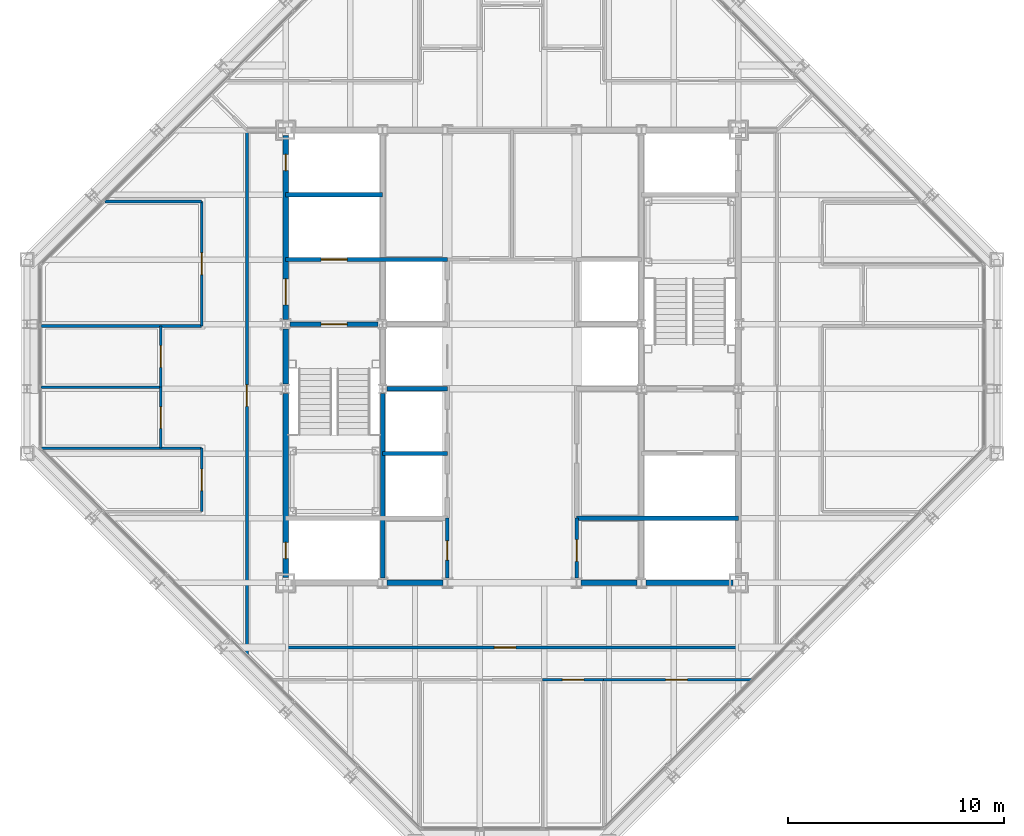
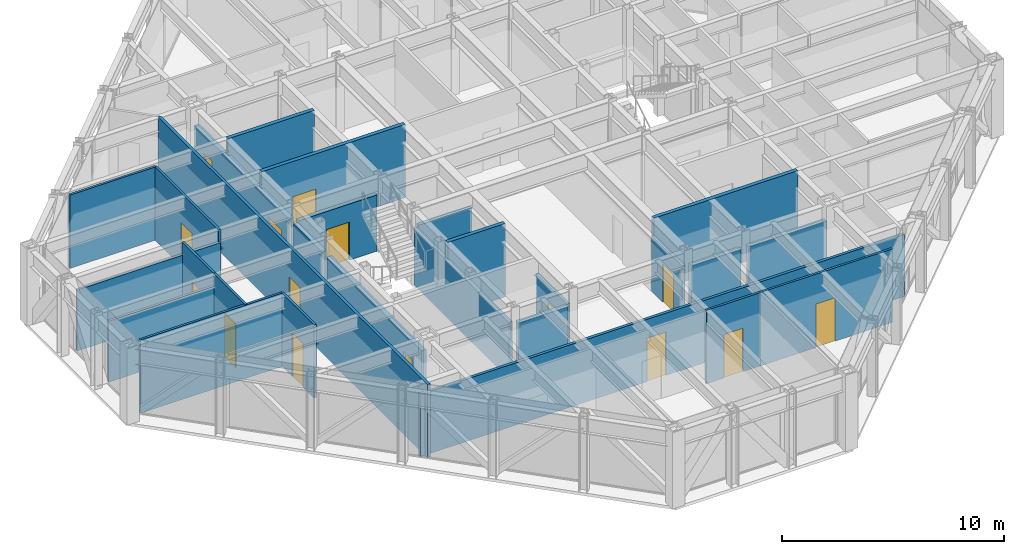
# One storey, part 10 of 15: 27 walls, 15 doors, 15 openings.
"""IFC4 building model written with IfcOpenShell, lengths in metres."""

import ifcopenshell
import ifcopenshell.guid

model = None  # the IFC model being written
_history = None  # IfcOwnerHistory: only IFC2X3 demands one
_inside = {}  # id of a spatial element -> (the spatial element, [elements in it])
_under = {}  # id of a project, library or spatial element -> (it, [spatial elements below it])
_declared = {}  # id of a project -> (the project, [libraries it declares])
_typed = {}  # id of a type object -> (the type object, [elements of that type])
_made_of = {}  # id of a material, layer set ... -> (it, [elements and type objects made of it])


def new_model(schema):
    """Start an empty IFC model of exactly this schema.

    Asked for "IFC4X3", IfcOpenShell would pick the latest addendum, in which some entities
    have other attributes; the version numbers below select the first issue.
    IFC2X3 requires an IfcOwnerHistory on every rooted entity: one is made here for all.
    """
    global model, _history
    if schema == "IFC4X3":
        model = ifcopenshell.file(schema_version=(4, 3, 0, 0))
    else:
        model = ifcopenshell.file(schema=schema)
    _inside.clear()
    _under.clear()
    _declared.clear()
    _typed.clear()
    _made_of.clear()
    _history = None
    if model.schema == "IFC2X3":
        org = make("IfcOrganization", Name="unknown")
        user = make(
            "IfcPersonAndOrganization",
            ThePerson=make("IfcPerson", FamilyName="unknown"),
            TheOrganization=org,
        )
        app = make(
            "IfcApplication",
            ApplicationDeveloper=org,
            Version="unknown",
            ApplicationFullName="unknown",
            ApplicationIdentifier="unknown",
        )
        _history = make(
            "IfcOwnerHistory",
            OwningUser=user,
            OwningApplication=app,
            ChangeAction="ADDED",
            CreationDate=0,
        )
    return model


def make(cls, **values):
    """One entity of the class cls with the attributes given. An attribute that is None is left unset."""
    return model.create_entity(
        cls, **{name: value for name, value in values.items() if value is not None}
    )


def rooted(cls, **values):
    """An entity with a GlobalId (a new one), such as an element, a storey or a relation."""
    return make(cls, GlobalId=ifcopenshell.guid.new(), OwnerHistory=_history, **values)


def si_unit(unit_type, name, prefix=None):
    """IfcSIUnit, for example si_unit("LENGTHUNIT", "METRE", prefix="MILLI")."""
    return make("IfcSIUnit", UnitType=unit_type, Prefix=prefix, Name=name)


def assignment(units):
    """IfcUnitAssignment: the units of a project."""
    return None if units is None else make("IfcUnitAssignment", Units=units)


def point(xyz):
    """IfcCartesianPoint."""
    return None if xyz is None else make("IfcCartesianPoint", Coordinates=xyz)


def direction(xyz):
    """IfcDirection."""
    return None if xyz is None else make("IfcDirection", DirectionRatios=xyz)


def frame(location, z_axis=None, x_axis=None):
    """IfcAxis2Placement3D, a coordinate frame: its origin and axes. An axis left out is left unset."""
    return make(
        "IfcAxis2Placement3D",
        Location=point(location),
        Axis=direction(z_axis),
        RefDirection=direction(x_axis),
    )


def frame_2d(location, x_axis=None):
    """IfcAxis2Placement2D, a coordinate frame in the plane: its origin and x axis."""
    return make(
        "IfcAxis2Placement2D", Location=point(location), RefDirection=direction(x_axis)
    )


def origin():
    """The frame at (0, 0, 0) with its axes left unset."""
    return frame((0.0, 0.0, 0.0))


def place(relative_to, where):
    """IfcLocalPlacement: puts the frame where relative to a parent placement (None: the world)."""
    return make(
        "IfcLocalPlacement", PlacementRelTo=relative_to, RelativePlacement=where
    )


def context(
    kind, dimensions, precision=None, world=None, true_north=None, identifier=None
):
    """IfcGeometricRepresentationContext, for example the 3D "Model" context."""
    return make(
        "IfcGeometricRepresentationContext",
        ContextIdentifier=identifier,
        ContextType=kind,
        CoordinateSpaceDimension=dimensions,
        Precision=precision,
        WorldCoordinateSystem=world,
        TrueNorth=true_north,
    )


def subcontext(parent, identifier, kind, view, scale=None):
    """IfcGeometricRepresentationSubContext, for example "Body" below "Model"."""
    return make(
        "IfcGeometricRepresentationSubContext",
        ContextIdentifier=identifier,
        ContextType=kind,
        ParentContext=parent,
        TargetScale=scale,
        TargetView=view,
    )


def project(units=None, contexts=None):
    """IfcProject with its units and contexts."""
    return rooted(
        "IfcProject",
        Name="project",
        RepresentationContexts=contexts,
        UnitsInContext=assignment(units),
    )


def spatial(cls, under=None, at=None, **own):
    """A site, building, storey or space (cls), placed at a placement, below another one or the project."""
    s = rooted(cls, ObjectPlacement=at, **own)
    if under is not None:
        _under.setdefault(under.id(), (under, []))[1].append(s)
    return s


def profile(cls, at=None, kind="AREA", **sizes):
    """A parametric profile (cls). Its sizes go by their IFC names, for example OverallWidth=200.0."""
    return make(cls, ProfileType=kind, Position=at, **sizes)


def rectangle(**sizes):
    """IfcRectangleProfileDef."""
    return profile("IfcRectangleProfileDef", **sizes)


def extrude(swept, where, along, depth):
    """IfcExtrudedAreaSolid: the profile swept, set in the frame where, extruded along a direction by depth."""
    return make(
        "IfcExtrudedAreaSolid",
        SweptArea=swept,
        Position=where,
        ExtrudedDirection=direction(along),
        Depth=depth,
    )


def shape(context_of_items, identifier, shape_type, items):
    """IfcShapeRepresentation: the items that make up one representation, for example the "Body"."""
    return make(
        "IfcShapeRepresentation",
        ContextOfItems=context_of_items,
        RepresentationIdentifier=identifier,
        RepresentationType=shape_type,
        Items=items,
    )


def material(Name=None, Category=None):
    """IfcMaterial."""
    return make("IfcMaterial", Name=Name, Category=Category)


def layer(
    of_material, thickness, ventilated=None, Name=None, Category=None, Priority=None
):
    """IfcMaterialLayer: one layer of a wall or slab, of a material (None: an air gap)."""
    return make(
        "IfcMaterialLayer",
        Material=of_material,
        LayerThickness=thickness,
        IsVentilated=ventilated,
        Name=Name,
        Category=Category,
        Priority=Priority,
    )


def layer_set(layers, Name=None):
    """IfcMaterialLayerSet."""
    return make("IfcMaterialLayerSet", MaterialLayers=layers, LayerSetName=Name)


def made_of(thing, what):
    """Note that an element or type object is made of a material, layer set ...; save() writes the relation."""
    if what is not None:
        _made_of.setdefault(what.id(), (what, []))[1].append(thing)
    return thing


def type_object(cls, material=None, **own):
    """A type object (cls), such as IfcWallType, which elements share."""
    return made_of(rooted(cls, **own), material)


def element(
    cls,
    number,
    at=None,
    inside=None,
    cuts=None,
    type_object=None,
    material=None,
    context=None,
    identifier="Body",
    shape_type=None,
    held_by="IfcProductDefinitionShape",
    body=None,
    shapes=None,
    **own,
):
    """One element of the class cls, such as IfcWall. Its Tag is "e" and its number.

    at: its placement. inside: the storey or other place that contains it. cuts: it is an
    opening in that element (IfcRelVoidsElement). A single representation is given by context,
    identifier, shape_type and body (its items); several are given by shapes. held_by: the class
    of the entity that holds the representations. save() writes the other relations.
    """
    e = rooted(cls, Tag="e%d" % number, ObjectPlacement=at, **own)
    if body is not None:
        shapes = [shape(context, identifier, shape_type, body)]
    if shapes is not None:
        e.Representation = make(held_by, Representations=shapes)
    if inside is not None:
        _inside.setdefault(inside.id(), (inside, []))[1].append(e)
    if cuts is not None:
        rooted(
            "IfcRelVoidsElement", RelatingBuildingElement=cuts, RelatedOpeningElement=e
        )
    if type_object is not None:
        _typed.setdefault(type_object.id(), (type_object, []))[1].append(e)
    return made_of(e, material)


def fill(opening, filler):
    """IfcRelFillsElement: the door or window that sits in an opening."""
    return rooted(
        "IfcRelFillsElement",
        RelatingOpeningElement=opening,
        RelatedBuildingElement=filler,
    )


def aggregate(whole, parts):
    """IfcRelAggregates: a whole, such as a stair, and the parts it consists of."""
    return rooted("IfcRelAggregates", RelatingObject=whole, RelatedObjects=parts)


def save(model, path):
    """Write the relations noted so far, then the file.

    IfcRelAggregates (storeys below a building ...), IfcRelContainedInSpatialStructure (elements
    in a storey), IfcRelDefinesByType, IfcRelAssociatesMaterial and IfcRelDeclares: one each for
    every whole, place, type object, material and project.
    """
    for whole, parts in _under.values():
        aggregate(whole, parts)
    for where, things in _inside.values():
        rooted(
            "IfcRelContainedInSpatialStructure",
            RelatedElements=things,
            RelatingStructure=where,
        )
    for kind, things in _typed.values():
        rooted("IfcRelDefinesByType", RelatedObjects=things, RelatingType=kind)
    for what, things in _made_of.values():
        rooted("IfcRelAssociatesMaterial", RelatedObjects=things, RelatingMaterial=what)
    for by, libraries in _declared.values():
        rooted("IfcRelDeclares", RelatingContext=by, RelatedDefinitions=libraries)
    model.write(path)


model = new_model("IFC4")

# Units and contexts
model_context = context("Model", 3, precision=1e-05, world=origin(), true_north=direction((0.0, 1.0)))
body_context = subcontext(model_context, "Body", "Model", "MODEL_VIEW")
ifc_project = project(units=[si_unit("LENGTHUNIT", "METRE"), si_unit("AREAUNIT", "SQUARE_METRE"), si_unit("VOLUMEUNIT", "CUBIC_METRE"), si_unit("PLANEANGLEUNIT", "RADIAN"), si_unit("MASSUNIT", "GRAM", prefix="KILO")], contexts=[model_context])

# Site, building, storey
site_placement = place(None, origin())
site = spatial("IfcSite", under=ifc_project, at=site_placement, CompositionType="ELEMENT")
building_placement = place(site_placement, origin())
building = spatial("IfcBuilding", under=site, at=building_placement, Name="Chuquiago Exchange Tower", CompositionType="ELEMENT")
storey_placement = place(building_placement, frame((0.0, 0.0, 287.39990234375)))
storey = spatial("IfcBuildingStorey", under=building, at=storey_placement, Name="L64", CompositionType="ELEMENT", Elevation=287.39990234375)

# Wall, opening, door
ifc_material_1 = material(Name="Concrete masonry, fully grouted", Category="masonry")
ifc_layer_1 = layer(ifc_material_1, 0.25)
ifc_layer_set_1 = layer_set([ifc_layer_1], Name="W1 core wall 250")
wall_type_1 = type_object("IfcWallType", Name="W1 core wall 250", PredefinedType="SOLIDWALL", material=ifc_layer_set_1)
wall_1_placement = place(storey_placement, frame((12.0, 12.25, 0.0), z_axis=(0.0, 0.0, 1.0), x_axis=(0.0, 1.0, 0.0)))
wall_1 = element("IfcWall", 1, at=wall_1_placement, inside=storey, type_object=wall_type_1, Name="CW-L64-00-0", PredefinedType="SOLIDWALL", context=body_context, shape_type="SweptSolid", body=[
    extrude(rectangle(XDim=8.527587890625, YDim=0.25, at=frame_2d((4.263671875, 0.0))), origin(), (0.0, 0.0, 1.0), 3.113037109375),
])
opening_1_placement = place(wall_1_placement, frame((0.875, 0.0, 0.0)))
opening_1 = element("IfcOpeningElement", 2, at=opening_1_placement, cuts=wall_1, Name="Opening L64-007", PredefinedType="OPENING", context=body_context, shape_type="SweptSolid", body=[
    extrude(rectangle(XDim=0.75, YDim=2.10009765625, at=frame_2d((0.375, 1.050048828125))), frame((0.0, 0.135009765625, 0.0), z_axis=(0.0, -1.0, 0.0), x_axis=(1.0, 0.0, 0.0)), (0.0, 0.0, 1.0), 0.27001953125),
])
ifc_material_2 = material(Name="Steel door, painted", Category="steel")
door_type_1 = type_object("IfcDoorType", Name="D6 riser access door 750x2100", OperationType="SINGLE_SWING_LEFT", PredefinedType="DOOR", material=ifc_material_2)
door_1_placement = place(opening_1_placement, frame((0.75, 0.0, 0.0), z_axis=(0.0, 0.0, 1.0), x_axis=(-1.0, 0.0, 0.0)))
door_1 = element("IfcDoor", 3, at=door_1_placement, inside=storey, type_object=door_type_1, Name="Riser RW1 door", OperationType="SINGLE_SWING_RIGHT", OverallHeight=2.10009765625, OverallWidth=0.75, PredefinedType="DOOR", context=body_context, shape_type="SweptSolid", body=[
    extrude(rectangle(XDim=0.75, YDim=2.10009765625, at=frame_2d((0.375, 1.050048828125))), frame((0.0, 0.02490234375, 0.0), z_axis=(0.0, -1.0, 0.0), x_axis=(1.0, 0.0, 0.0)), (0.0, 0.0, 1.0), 0.050048828125),
])
fill(opening_1, door_1)

# Wall
wall_2_placement = place(storey_placement, frame((12.0, 21.222412109375, 0.0), z_axis=(0.0, 0.0, 1.0), x_axis=(0.0, 1.0, 0.0)))
element("IfcWall", 4, at=wall_2_placement, inside=storey, type_object=wall_type_1, Name="CW-L64-00-1", PredefinedType="SOLIDWALL", context=body_context, shape_type="SweptSolid", body=[
    extrude(rectangle(XDim=2.55517578125, YDim=0.25, at=frame_2d((1.277587890625, 0.0))), origin(), (0.0, 0.0, 1.0), 3.113037109375),
])

# Wall, openings, doors
wall_3_placement = place(storey_placement, frame((12.0, 24.222412109375, 0.0), z_axis=(0.0, 0.0, 1.0), x_axis=(0.0, 1.0, 0.0)))
wall_3 = element("IfcWall", 5, at=wall_3_placement, inside=storey, type_object=wall_type_1, Name="CW-L64-00-2", PredefinedType="SOLIDWALL", context=body_context, shape_type="SweptSolid", body=[
    extrude(rectangle(XDim=8.527587890625, YDim=0.25, at=frame_2d((4.263671875, 0.0))), origin(), (0.0, 0.0, 1.0), 3.113037109375),
])
opening_2_placement = place(wall_3_placement, frame((0.677734375, 0.0, 0.0)))
opening_2 = element("IfcOpeningElement", 6, at=opening_2_placement, cuts=wall_3, Name="Opening L64-002", PredefinedType="OPENING", context=body_context, shape_type="SweptSolid", body=[
    extrude(rectangle(XDim=1.199951171875, YDim=2.10009765625, at=frame_2d((0.60009765625, 1.050048828125))), frame((0.0, 0.135009765625, 0.0), z_axis=(0.0, -1.0, 0.0), x_axis=(1.0, 0.0, 0.0)), (0.0, 0.0, 1.0), 0.27001953125),
])
opening_3_placement = place(wall_3_placement, frame((6.902587890625, 0.0, 0.0)))
opening_3 = element("IfcOpeningElement", 7, at=opening_3_placement, cuts=wall_3, Name="Opening L64-008", PredefinedType="OPENING", context=body_context, shape_type="SweptSolid", body=[
    extrude(rectangle(XDim=0.75, YDim=2.10009765625, at=frame_2d((0.375, 1.050048828125))), frame((0.0, 0.135009765625, 0.0), z_axis=(0.0, -1.0, 0.0), x_axis=(1.0, 0.0, 0.0)), (0.0, 0.0, 1.0), 0.27001953125),
])
ifc_material_3 = material(Name="Steel door, painted", Category="steel")
door_type_2 = type_object("IfcDoorType", Name="D5 firefighting lobby door 1200x2100", OperationType="SINGLE_SWING_LEFT", PredefinedType="DOOR", material=ifc_material_3)
door_2_placement = place(opening_2_placement, frame((1.199951171875, 0.0, 0.0), z_axis=(0.0, 0.0, 1.0), x_axis=(-1.0, 0.0, 0.0)))
door_2 = element("IfcDoor", 8, at=door_2_placement, inside=storey, type_object=door_type_2, Name="Firefighting lobby 1 door", OperationType="SINGLE_SWING_RIGHT", OverallHeight=2.10009765625, OverallWidth=1.199951171875, PredefinedType="DOOR", context=body_context, shape_type="SweptSolid", body=[
    extrude(rectangle(XDim=1.199951171875, YDim=2.10009765625, at=frame_2d((0.60009765625, 1.050048828125))), frame((0.0, 0.02490234375, 0.0), z_axis=(0.0, -1.0, 0.0), x_axis=(1.0, 0.0, 0.0)), (0.0, 0.0, 1.0), 0.050048828125),
])
fill(opening_2, door_2)
door_3_placement = place(opening_3_placement, frame((0.75, 0.0, 0.0), z_axis=(0.0, 0.0, 1.0), x_axis=(-1.0, 0.0, 0.0)))
door_3 = element("IfcDoor", 9, at=door_3_placement, inside=storey, type_object=door_type_1, Name="Riser RW2 door", OperationType="SINGLE_SWING_LEFT", OverallHeight=2.10009765625, OverallWidth=0.75, PredefinedType="DOOR", context=body_context, shape_type="SweptSolid", body=[
    extrude(rectangle(XDim=0.75, YDim=2.10009765625, at=frame_2d((0.375, 1.050048828125))), frame((0.0, 0.02490234375, 0.0), z_axis=(0.0, -1.0, 0.0), x_axis=(1.0, 0.0, 0.0)), (0.0, 0.0, 1.0), 0.050048828125),
])
fill(opening_3, door_3)

# Walls
for number, where, z_axis, x_axis, name in (
    (10, (16.708251953125, 12.0, 0.0), (0.0, 0.0, 1.0), (1.0, 0.0, 0.0), "CW-L64-01-1"),
    (11, (25.708251953125, 12.0, 0.0), (0.0, 0.0, 1.0), (1.0, 0.0, 0.0), "CW-L64-02-0"),
):
    element("IfcWall", number, at=place(storey_placement, frame(where, z_axis=z_axis, x_axis=x_axis)), inside=storey, type_object=wall_type_1, Name=name, PredefinedType="SOLIDWALL", context=body_context, shape_type="SweptSolid", body=[
        extrude(rectangle(XDim=2.58349609375, YDim=0.25, at=frame_2d((1.291748046875, 0.0))), origin(), (0.0, 0.0, 1.0), 3.181640625),
    ])
wall_4_placement = place(storey_placement, frame((28.708251953125, 12.0, 0.0), z_axis=(0.0, 0.0, 1.0), x_axis=(1.0, 0.0, 0.0)))
element("IfcWall", 12, at=wall_4_placement, inside=storey, type_object=wall_type_1, Name="CW-L64-02-1", PredefinedType="SOLIDWALL", context=body_context, shape_type="SweptSolid", body=[
    extrude(rectangle(XDim=4.041748046875, YDim=0.25, at=frame_2d((2.02099609375, 0.0))), origin(), (0.0, 0.0, 1.0), 3.181640625),
])

# Wall, opening, door
ifc_material_4 = material(Name="Gypsum board on steel studs, acoustic insulation", Category="steel")
ifc_layer_2 = layer(ifc_material_4, 0.14990234375)
ifc_layer_set_2 = layer_set([ifc_layer_2], Name="W11 corridor wall 150")
wall_type_2 = type_object("IfcWallType", Name="W11 corridor wall 150", PredefinedType="PARTITIONING", material=ifc_layer_set_2)
wall_5_placement = place(storey_placement, frame((9.885498046875, 9.0, 0.0), z_axis=(0.0, 0.0, 1.0), x_axis=(1.0, 0.0, 0.0)))
wall_5 = element("IfcWall", 13, at=wall_5_placement, inside=storey, type_object=wall_type_2, Name="PW-L64-GS0", PredefinedType="PARTITIONING", context=body_context, shape_type="SweptSolid", body=[
    extrude(rectangle(XDim=25.22900390625, YDim=0.14990234375, at=frame_2d((12.614501953125, 0.0))), origin(), (0.0, 0.0, 1.0), 3.427978515625),
])
opening_4_placement = place(wall_5_placement, frame((11.800048828125, 0.0, 0.0)))
opening_4 = element("IfcOpeningElement", 14, at=opening_4_placement, cuts=wall_5, Name="Opening L64-036", PredefinedType="OPENING", context=body_context, shape_type="SweptSolid", body=[
    extrude(rectangle(XDim=1.0, YDim=2.39990234375, at=frame_2d((0.5, 1.199951171875))), frame((0.0, 0.0849609375, 0.0), z_axis=(0.0, -1.0, 0.0), x_axis=(1.0, 0.0, 0.0)), (0.0, 0.0, 1.0), 0.169921875),
])
ifc_material_5 = material(Name="Timber door, laminate faced", Category="wood")
door_type_3 = type_object("IfcDoorType", Name="D9 room door 1000x2400", OperationType="SINGLE_SWING_LEFT", PredefinedType="DOOR", material=ifc_material_5)
door_4_placement = place(opening_4_placement, frame((1.0, 0.0, 0.0), z_axis=(0.0, 0.0, 1.0), x_axis=(-1.0, 0.0, 0.0)))
door_4 = element("IfcDoor", 15, at=door_4_placement, inside=storey, type_object=door_type_3, Name="Team area door", OperationType="SINGLE_SWING_RIGHT", OverallHeight=2.39990234375, OverallWidth=1.0, PredefinedType="DOOR", context=body_context, shape_type="SweptSolid", body=[
    extrude(rectangle(XDim=1.0, YDim=2.39990234375, at=frame_2d((0.5, 1.199951171875))), frame((0.0, 0.02490234375, 0.0), z_axis=(0.0, -1.0, 0.0), x_axis=(1.0, 0.0, 0.0)), (0.0, 0.0, 1.0), 0.050048828125),
])
fill(opening_4, door_4)

wall_6_placement = place(storey_placement, frame((10.199951171875, 8.685546875, 0.0), z_axis=(0.0, 0.0, 1.0), x_axis=(0.0, 1.0, 0.0)))
wall_6 = element("IfcWall", 16, at=wall_6_placement, inside=storey, type_object=wall_type_2, Name="PW-L64-GW0", PredefinedType="PARTITIONING", context=body_context, shape_type="SweptSolid", body=[
    extrude(rectangle(XDim=24.314453125, YDim=0.14990234375, at=frame_2d((12.1572265625, 0.0))), origin(), (0.0, 0.0, 1.0), 4.0400390625),
])
opening_5_placement = place(wall_6_placement, frame((11.5, 0.0, 0.0)))
opening_5 = element("IfcOpeningElement", 17, at=opening_5_placement, cuts=wall_6, Name="Opening L64-037", PredefinedType="OPENING", context=body_context, shape_type="SweptSolid", body=[
    extrude(rectangle(XDim=1.0, YDim=2.39990234375, at=frame_2d((0.5, 1.199951171875))), frame((0.0, 0.0849609375, 0.0), z_axis=(0.0, -1.0, 0.0), x_axis=(1.0, 0.0, 0.0)), (0.0, 0.0, 1.0), 0.169921875),
])
door_5_placement = place(opening_5_placement, origin())
door_5 = element("IfcDoor", 18, at=door_5_placement, inside=storey, type_object=door_type_3, Name="Team area door", OperationType="SINGLE_SWING_LEFT", OverallHeight=2.39990234375, OverallWidth=1.0, PredefinedType="DOOR", context=body_context, shape_type="SweptSolid", body=[
    extrude(rectangle(XDim=1.0, YDim=2.39990234375, at=frame_2d((0.5, 1.199951171875))), frame((0.0, 0.02490234375, 0.0), z_axis=(0.0, -1.0, 0.0), x_axis=(1.0, 0.0, 0.0)), (0.0, 0.0, 1.0), 0.050048828125),
])
fill(opening_5, door_5)

# Wall
ifc_material_6 = material(Name="Concrete masonry, fully grouted", Category="masonry")
ifc_layer_3 = layer(ifc_material_6, 0.199951171875)
ifc_layer_set_3 = layer_set([ifc_layer_3], Name="W2 shaft wall 200")
wall_type_3 = type_object("IfcWallType", Name="W2 shaft wall 200", PredefinedType="SOLIDWALL", material=ifc_layer_set_3)
wall_7_placement = place(storey_placement, frame((25.5, 15.0, 0.0), z_axis=(0.0, 0.0, 1.0), x_axis=(1.0, 0.0, 0.0)))
element("IfcWall", 19, at=wall_7_placement, inside=storey, type_object=wall_type_3, Name="CW-L64-04-0", PredefinedType="SOLIDWALL", context=body_context, shape_type="SweptSolid", body=[
    extrude(rectangle(XDim=7.5, YDim=0.199951171875, at=frame_2d((3.75, 0.0))), origin(), (0.0, 0.0, 1.0), 4.0400390625),
])

# Wall, opening, door
wall_8_placement = place(storey_placement, frame((12.208251953125, 24.0, 0.0), z_axis=(0.0, 0.0, 1.0), x_axis=(1.0, 0.0, 0.0)))
wall_8 = element("IfcWall", 20, at=wall_8_placement, inside=storey, type_object=wall_type_3, Name="CW-L64-05-0", PredefinedType="SOLIDWALL", context=body_context, shape_type="SweptSolid", body=[
    extrude(rectangle(XDim=4.08349609375, YDim=0.199951171875, at=frame_2d((2.041748046875, 0.0))), origin(), (0.0, 0.0, 1.0), 3.090087890625),
])
opening_6_placement = place(wall_8_placement, frame((1.441650390625, 0.0, 0.0)))
opening_6 = element("IfcOpeningElement", 21, at=opening_6_placement, cuts=wall_8, Name="Opening L64-001", PredefinedType="OPENING", context=body_context, shape_type="SweptSolid", body=[
    extrude(rectangle(XDim=1.199951171875, YDim=2.10009765625, at=frame_2d((0.60009765625, 1.050048828125))), frame((0.0, 0.10986328125, 0.0), z_axis=(0.0, -1.0, 0.0), x_axis=(1.0, 0.0, 0.0)), (0.0, 0.0, 1.0), 0.219970703125),
])
ifc_material_7 = material(Name="Steel door, painted", Category="steel")
door_type_4 = type_object("IfcDoorType", Name="D4 stair door 1200x2100", OperationType="SINGLE_SWING_LEFT", PredefinedType="DOOR", material=ifc_material_7)
door_6_placement = place(opening_6_placement, frame((1.199951171875, 0.0, 0.0), z_axis=(0.0, 0.0, 1.0), x_axis=(-1.0, 0.0, 0.0)))
door_6 = element("IfcDoor", 22, at=door_6_placement, inside=storey, type_object=door_type_4, Name="Stair ST1 door", OperationType="SINGLE_SWING_LEFT", OverallHeight=2.10009765625, OverallWidth=1.199951171875, PredefinedType="DOOR", context=body_context, shape_type="SweptSolid", body=[
    extrude(rectangle(XDim=1.199951171875, YDim=2.10009765625, at=frame_2d((0.60009765625, 1.050048828125))), frame((0.0, 0.02490234375, 0.0), z_axis=(0.0, -1.0, 0.0), x_axis=(1.0, 0.0, 0.0)), (0.0, 0.0, 1.0), 0.050048828125),
])
fill(opening_6, door_6)

wall_9_placement = place(storey_placement, frame((12.0, 27.0, 0.0), z_axis=(0.0, 0.0, 1.0), x_axis=(1.0, 0.0, 0.0)))
wall_9 = element("IfcWall", 23, at=wall_9_placement, inside=storey, type_object=wall_type_3, Name="CW-L64-07-0", PredefinedType="SOLIDWALL", context=body_context, shape_type="SweptSolid", body=[
    extrude(rectangle(XDim=7.5, YDim=0.199951171875, at=frame_2d((3.75, 0.0))), origin(), (0.0, 0.0, 1.0), 4.0400390625),
])
opening_7_placement = place(wall_9_placement, frame((1.64990234375, 0.0, 0.0)))
opening_7 = element("IfcOpeningElement", 24, at=opening_7_placement, cuts=wall_9, Name="Opening L64-005", PredefinedType="OPENING", context=body_context, shape_type="SweptSolid", body=[
    extrude(rectangle(XDim=1.199951171875, YDim=2.10009765625, at=frame_2d((0.60009765625, 1.050048828125))), frame((0.0, 0.10986328125, 0.0), z_axis=(0.0, -1.0, 0.0), x_axis=(1.0, 0.0, 0.0)), (0.0, 0.0, 1.0), 0.219970703125),
])
ifc_material_8 = material(Name="Stainless steel lift landing door", Category="steel")
door_type_5 = type_object("IfcDoorType", Name="LD2 firefighting lift landing door 1200x2100", OperationType="DOUBLE_DOOR_SLIDING", PredefinedType="DOOR", material=ifc_material_8)
door_7_placement = place(opening_7_placement, origin())
door_7 = element("IfcDoor", 25, at=door_7_placement, inside=storey, type_object=door_type_5, Name="Firefighting lift FL1 landing door", OperationType="DOUBLE_DOOR_SLIDING", OverallHeight=2.10009765625, OverallWidth=1.199951171875, PredefinedType="DOOR", context=body_context, shape_type="SweptSolid", body=[
    extrude(rectangle(XDim=1.199951171875, YDim=2.10009765625, at=frame_2d((0.60009765625, 1.050048828125))), frame((0.0, 0.02490234375, 0.0), z_axis=(0.0, -1.0, 0.0), x_axis=(1.0, 0.0, 0.0)), (0.0, 0.0, 1.0), 0.050048828125),
])
fill(opening_7, door_7)

# Walls
wall_10_placement = place(storey_placement, frame((12.0, 30.0, 0.0), z_axis=(0.0, 0.0, 1.0), x_axis=(1.0, 0.0, 0.0)))
element("IfcWall", 26, at=wall_10_placement, inside=storey, type_object=wall_type_3, Name="CW-L64-09-0", PredefinedType="SOLIDWALL", context=body_context, shape_type="SweptSolid", body=[
    extrude(rectangle(XDim=4.5, YDim=0.199951171875, at=frame_2d((2.25, 0.0))), origin(), (0.0, 0.0, 1.0), 4.0400390625),
])
wall_11_placement = place(storey_placement, frame((16.5, 12.222412109375, 0.0), z_axis=(0.0, 0.0, 1.0), x_axis=(0.0, 1.0, 0.0)))
element("IfcWall", 27, at=wall_11_placement, inside=storey, type_object=wall_type_3, Name="CW-L64-13-0", PredefinedType="SOLIDWALL", context=body_context, shape_type="SweptSolid", body=[
    extrude(rectangle(XDim=8.55517578125, YDim=0.199951171875, at=frame_2d((4.277587890625, 0.0))), origin(), (0.0, 0.0, 1.0), 3.113037109375),
])
wall_12_placement = place(storey_placement, frame((16.5, 18.0, 0.0), z_axis=(0.0, 0.0, 1.0), x_axis=(1.0, 0.0, 0.0)))
element("IfcWall", 28, at=wall_12_placement, inside=storey, type_object=wall_type_3, Name="CW-L64-14-0", PredefinedType="SOLIDWALL", context=body_context, shape_type="SweptSolid", body=[
    extrude(rectangle(XDim=3.0, YDim=0.199951171875, at=frame_2d((1.5, 0.0))), origin(), (0.0, 0.0, 1.0), 4.0400390625),
])
wall_13_placement = place(storey_placement, frame((16.708251953125, 21.0, 0.0), z_axis=(0.0, 0.0, 1.0), x_axis=(1.0, 0.0, 0.0)))
element("IfcWall", 29, at=wall_13_placement, inside=storey, type_object=wall_type_3, Name="CW-L64-16-0", PredefinedType="SOLIDWALL", context=body_context, shape_type="SweptSolid", body=[
    extrude(rectangle(XDim=2.791748046875, YDim=0.199951171875, at=frame_2d((1.39599609375, 0.0))), origin(), (0.0, 0.0, 1.0), 3.090087890625),
])

# Wall, opening, door
ifc_material_9 = material(Name="Gypsum board on steel studs", Category="steel")
ifc_layer_4 = layer(ifc_material_9, 0.14990234375)
ifc_layer_set_4 = layer_set([ifc_layer_4], Name="W3 core partition 150")
wall_type_4 = type_object("IfcWallType", Name="W3 core partition 150", PredefinedType="PARTITIONING", material=ifc_layer_set_4)
wall_14_placement = place(storey_placement, frame((19.5, 12.222412109375, 0.0), z_axis=(0.0, 0.0, 1.0), x_axis=(0.0, 1.0, 0.0)))
wall_14 = element("IfcWall", 30, at=wall_14_placement, inside=storey, type_object=wall_type_4, Name="CW-L64-18-0", PredefinedType="PARTITIONING", context=body_context, shape_type="SweptSolid", body=[
    extrude(rectangle(XDim=2.777587890625, YDim=0.14990234375, at=frame_2d((1.388671875, 0.0))), origin(), (0.0, 0.0, 1.0), 3.064697265625),
])
opening_8_placement = place(wall_14_placement, frame((0.82763671875, 0.0, 0.0)))
opening_8 = element("IfcOpeningElement", 31, at=opening_8_placement, cuts=wall_14, Name="Opening L64-015", PredefinedType="OPENING", context=body_context, shape_type="SweptSolid", body=[
    extrude(rectangle(XDim=0.89990234375, YDim=2.10009765625, at=frame_2d((0.449951171875, 1.050048828125))), frame((0.0, 0.0849609375, 0.0), z_axis=(0.0, -1.0, 0.0), x_axis=(1.0, 0.0, 0.0)), (0.0, 0.0, 1.0), 0.169921875),
])
ifc_material_10 = material(Name="Timber door, laminate faced", Category="wood")
door_type_6 = type_object("IfcDoorType", Name="D7 toilet door 900x2100", OperationType="SINGLE_SWING_LEFT", PredefinedType="DOOR", material=ifc_material_10)
door_8_placement = place(opening_8_placement, frame((0.89990234375, 0.0, 0.0), z_axis=(0.0, 0.0, 1.0), x_axis=(-1.0, 0.0, 0.0)))
door_8 = element("IfcDoor", 32, at=door_8_placement, inside=storey, type_object=door_type_6, Name="Cleaner door", OperationType="SINGLE_SWING_RIGHT", OverallHeight=2.10009765625, OverallWidth=0.89990234375, PredefinedType="DOOR", context=body_context, shape_type="SweptSolid", body=[
    extrude(rectangle(XDim=0.89990234375, YDim=2.10009765625, at=frame_2d((0.449951171875, 1.050048828125))), frame((0.0, 0.02490234375, 0.0), z_axis=(0.0, -1.0, 0.0), x_axis=(1.0, 0.0, 0.0)), (0.0, 0.0, 1.0), 0.050048828125),
])
fill(opening_8, door_8)

wall_15_placement = place(storey_placement, frame((25.5, 12.222412109375, 0.0), z_axis=(0.0, 0.0, 1.0), x_axis=(0.0, 1.0, 0.0)))
wall_15 = element("IfcWall", 33, at=wall_15_placement, inside=storey, type_object=wall_type_4, Name="CW-L64-21-0", PredefinedType="PARTITIONING", context=body_context, shape_type="SweptSolid", body=[
    extrude(rectangle(XDim=2.777587890625, YDim=0.14990234375, at=frame_2d((1.388671875, 0.0))), origin(), (0.0, 0.0, 1.0), 3.064697265625),
])
opening_9_placement = place(wall_15_placement, frame((0.777587890625, 0.0, 0.0)))
opening_9 = element("IfcOpeningElement", 34, at=opening_9_placement, cuts=wall_15, Name="Opening L64-013", PredefinedType="OPENING", context=body_context, shape_type="SweptSolid", body=[
    extrude(rectangle(XDim=1.0, YDim=2.10009765625, at=frame_2d((0.5, 1.050048828125))), frame((0.0, 0.0849609375, 0.0), z_axis=(0.0, -1.0, 0.0), x_axis=(1.0, 0.0, 0.0)), (0.0, 0.0, 1.0), 0.169921875),
])
ifc_material_11 = material(Name="Timber door, laminate faced", Category="wood")
door_type_7 = type_object("IfcDoorType", Name="D8 accessible toilet door 1000x2100", OperationType="SLIDING_TO_LEFT", PredefinedType="DOOR", material=ifc_material_11)
door_9_placement = place(opening_9_placement, origin())
door_9 = element("IfcDoor", 35, at=door_9_placement, inside=storey, type_object=door_type_7, Name="Accessible WC door", OperationType="SLIDING_TO_LEFT", OverallHeight=2.10009765625, OverallWidth=1.0, PredefinedType="DOOR", context=body_context, shape_type="SweptSolid", body=[
    extrude(rectangle(XDim=1.0, YDim=2.10009765625, at=frame_2d((0.5, 1.050048828125))), frame((0.0, 0.02490234375, 0.0), z_axis=(0.0, -1.0, 0.0), x_axis=(1.0, 0.0, 0.0)), (0.0, 0.0, 1.0), 0.050048828125),
])
fill(opening_9, door_9)

ifc_material_12 = material(Name="Gypsum board on steel studs", Category="steel")
ifc_layer_5 = layer(ifc_material_12, 0.1201171875)
ifc_layer_set_5 = layer_set([ifc_layer_5], Name="W4 partition 120")
wall_type_5 = type_object("IfcWallType", Name="W4 partition 120", PredefinedType="PARTITIONING", material=ifc_layer_set_5)
wall_16_placement = place(storey_placement, frame((23.917236328125, 7.5, 0.0), z_axis=(0.0, 0.0, 1.0), x_axis=(1.0, 0.0, 0.0)))
wall_16 = element("IfcWall", 36, at=wall_16_placement, inside=storey, type_object=wall_type_5, Name="PW-L64-SF02392", PredefinedType="PARTITIONING", context=body_context, shape_type="SweptSolid", body=[
    extrude(rectangle(XDim=2.834228515625, YDim=0.1201171875, at=frame_2d((1.4169921875, 0.0))), origin(), (0.0, 0.0, 1.0), 4.0400390625),
])
opening_10_placement = place(wall_16_placement, frame((0.9169921875, 0.0, 0.0)))
opening_10 = element("IfcOpeningElement", 37, at=opening_10_placement, cuts=wall_16, Name="Opening L64-022", PredefinedType="OPENING", context=body_context, shape_type="SweptSolid", body=[
    extrude(rectangle(XDim=1.0, YDim=2.39990234375, at=frame_2d((0.5, 1.199951171875))), frame((0.0, 0.070068359375, 0.0), z_axis=(0.0, -1.0, 0.0), x_axis=(1.0, 0.0, 0.0)), (0.0, 0.0, 1.0), 0.14013671875),
])
ifc_material_13 = material(Name="Timber frame door, full height glazed panel", Category="wood")
door_type_8 = type_object("IfcDoorType", Name="D14 glazed meeting room door 1000x2400", OperationType="SINGLE_SWING_LEFT", PredefinedType="DOOR", material=ifc_material_13)
door_10_placement = place(opening_10_placement, frame((1.0, 0.0, 0.0), z_axis=(0.0, 0.0, 1.0), x_axis=(-1.0, 0.0, 0.0)))
door_10 = element("IfcDoor", 38, at=door_10_placement, inside=storey, type_object=door_type_8, Name="Meeting room door", OperationType="SINGLE_SWING_RIGHT", OverallHeight=2.39990234375, OverallWidth=1.0, PredefinedType="DOOR", context=body_context, shape_type="SweptSolid", body=[
    extrude(rectangle(XDim=1.0, YDim=2.39990234375, at=frame_2d((0.5, 1.199951171875))), frame((0.0, 0.02490234375, 0.0), z_axis=(0.0, -1.0, 0.0), x_axis=(1.0, 0.0, 0.0)), (0.0, 0.0, 1.0), 0.050048828125),
])
fill(opening_10, door_10)

wall_17_placement = place(storey_placement, frame((26.75146484375, 7.5, 0.0), z_axis=(0.0, 0.0, 1.0), x_axis=(1.0, 0.0, 0.0)))
wall_17 = element("IfcWall", 39, at=wall_17_placement, inside=storey, type_object=wall_type_5, Name="PW-L64-SF02675", PredefinedType="PARTITIONING", context=body_context, shape_type="SweptSolid", body=[
    extrude(rectangle(XDim=6.863037109375, YDim=0.1201171875, at=frame_2d((3.431640625, 0.0))), origin(), (0.0, 0.0, 1.0), 4.0400390625),
])
opening_11_placement = place(wall_17_placement, frame((2.87939453125, 0.0, 0.0)))
opening_11 = element("IfcOpeningElement", 40, at=opening_11_placement, cuts=wall_17, Name="Opening L64-023", PredefinedType="OPENING", context=body_context, shape_type="SweptSolid", body=[
    extrude(rectangle(XDim=1.0, YDim=2.39990234375, at=frame_2d((0.5, 1.199951171875))), frame((0.0, 0.070068359375, 0.0), z_axis=(0.0, -1.0, 0.0), x_axis=(1.0, 0.0, 0.0)), (0.0, 0.0, 1.0), 0.14013671875),
])
door_11_placement = place(opening_11_placement, frame((1.0, 0.0, 0.0), z_axis=(0.0, 0.0, 1.0), x_axis=(-1.0, 0.0, 0.0)))
door_11 = element("IfcDoor", 41, at=door_11_placement, inside=storey, type_object=door_type_3, Name="Office door", OperationType="SINGLE_SWING_LEFT", OverallHeight=2.39990234375, OverallWidth=1.0, PredefinedType="DOOR", context=body_context, shape_type="SweptSolid", body=[
    extrude(rectangle(XDim=1.0, YDim=2.39990234375, at=frame_2d((0.5, 1.199951171875))), frame((0.0, 0.02490234375, 0.0), z_axis=(0.0, -1.0, 0.0), x_axis=(1.0, 0.0, 0.0)), (0.0, 0.0, 1.0), 0.050048828125),
])
fill(opening_11, door_11)

# Walls
wall_18_placement = place(storey_placement, frame((0.666015625, 18.24853515625, 0.0), z_axis=(0.0, 0.0, 1.0), x_axis=(1.0, 0.0, 0.0)))
element("IfcWall", 42, at=wall_18_placement, inside=storey, type_object=wall_type_5, Name="PW-L64-W01825", PredefinedType="PARTITIONING", context=body_context, shape_type="SweptSolid", body=[
    extrude(rectangle(XDim=7.43408203125, YDim=0.1201171875, at=frame_2d((3.717041015625, 0.0))), origin(), (0.0, 0.0, 1.0), 4.0400390625),
])
wall_19_placement = place(storey_placement, frame((0.652587890625, 21.082763671875, 0.0), z_axis=(0.0, 0.0, 1.0), x_axis=(1.0, 0.0, 0.0)))
element("IfcWall", 43, at=wall_19_placement, inside=storey, type_object=wall_type_5, Name="PW-L64-W02108", PredefinedType="PARTITIONING", context=body_context, shape_type="SweptSolid", body=[
    extrude(rectangle(XDim=5.54736328125, YDim=0.1201171875, at=frame_2d((2.773681640625, 0.0))), origin(), (0.0, 0.0, 1.0), 3.35693359375),
])
wall_20_placement = place(storey_placement, frame((0.652587890625, 23.917236328125, 0.0), z_axis=(0.0, 0.0, 1.0), x_axis=(1.0, 0.0, 0.0)))
element("IfcWall", 44, at=wall_20_placement, inside=storey, type_object=wall_type_5, Name="PW-L64-W02392", PredefinedType="PARTITIONING", context=body_context, shape_type="SweptSolid", body=[
    extrude(rectangle(XDim=7.447509765625, YDim=0.1201171875, at=frame_2d((3.7236328125, 0.0))), origin(), (0.0, 0.0, 1.0), 3.35693359375),
])
wall_21_placement = place(storey_placement, frame((3.607421875, 29.69287109375, 0.0), z_axis=(0.0, 0.0, 1.0), x_axis=(1.0, 0.0, 0.0)))
element("IfcWall", 45, at=wall_21_placement, inside=storey, type_object=wall_type_5, Name="PW-L64-W02969", PredefinedType="PARTITIONING", context=body_context, shape_type="SweptSolid", body=[
    extrude(rectangle(XDim=4.49267578125, YDim=0.1201171875, at=frame_2d((2.246337890625, 0.0))), origin(), (0.0, 0.0, 1.0), 4.0400390625),
])

# Wall, opening, door
wall_22_placement = place(storey_placement, frame((8.10009765625, 15.30712890625, 0.0), z_axis=(0.0, 0.0, 1.0), x_axis=(0.0, 1.0, 0.0)))
wall_22 = element("IfcWall", 46, at=wall_22_placement, inside=storey, type_object=wall_type_5, Name="PW-L64-WF01531", PredefinedType="PARTITIONING", context=body_context, shape_type="SweptSolid", body=[
    extrude(rectangle(XDim=2.94140625, YDim=0.1201171875, at=frame_2d((1.470703125, 0.0))), origin(), (0.0, 0.0, 1.0), 4.0400390625),
])
opening_12_placement = place(wall_22_placement, frame((0.970703125, 0.0, 0.0)))
opening_12 = element("IfcOpeningElement", 47, at=opening_12_placement, cuts=wall_22, Name="Opening L64-032", PredefinedType="OPENING", context=body_context, shape_type="SweptSolid", body=[
    extrude(rectangle(XDim=1.0, YDim=2.39990234375, at=frame_2d((0.5, 1.199951171875))), frame((0.0, 0.070068359375, 0.0), z_axis=(0.0, -1.0, 0.0), x_axis=(1.0, 0.0, 0.0)), (0.0, 0.0, 1.0), 0.14013671875),
])
door_12_placement = place(opening_12_placement, origin())
door_12 = element("IfcDoor", 48, at=door_12_placement, inside=storey, type_object=door_type_3, Name="Office door", OperationType="SINGLE_SWING_RIGHT", OverallHeight=2.39990234375, OverallWidth=1.0, PredefinedType="DOOR", context=body_context, shape_type="SweptSolid", body=[
    extrude(rectangle(XDim=1.0, YDim=2.39990234375, at=frame_2d((0.5, 1.199951171875))), frame((0.0, 0.02490234375, 0.0), z_axis=(0.0, -1.0, 0.0), x_axis=(1.0, 0.0, 0.0)), (0.0, 0.0, 1.0), 0.050048828125),
])
fill(opening_12, door_12)

wall_23_placement = place(storey_placement, frame((6.199951171875, 18.24853515625, 0.0), z_axis=(0.0, 0.0, 1.0), x_axis=(0.0, 1.0, 0.0)))
wall_23 = element("IfcWall", 49, at=wall_23_placement, inside=storey, type_object=wall_type_5, Name="PW-L64-WF01825", PredefinedType="PARTITIONING", context=body_context, shape_type="SweptSolid", body=[
    extrude(rectangle(XDim=2.834228515625, YDim=0.1201171875, at=frame_2d((1.4169921875, 0.0))), origin(), (0.0, 0.0, 1.0), 4.0400390625),
])
opening_13_placement = place(wall_23_placement, frame((0.9169921875, 0.0, 0.0)))
opening_13 = element("IfcOpeningElement", 50, at=opening_13_placement, cuts=wall_23, Name="Opening L64-033", PredefinedType="OPENING", context=body_context, shape_type="SweptSolid", body=[
    extrude(rectangle(XDim=1.0, YDim=2.39990234375, at=frame_2d((0.5, 1.199951171875))), frame((0.0, 0.070068359375, 0.0), z_axis=(0.0, -1.0, 0.0), x_axis=(1.0, 0.0, 0.0)), (0.0, 0.0, 1.0), 0.14013671875),
])
door_13_placement = place(opening_13_placement, origin())
door_13 = element("IfcDoor", 51, at=door_13_placement, inside=storey, type_object=door_type_8, Name="Focus room door", OperationType="SINGLE_SWING_LEFT", OverallHeight=2.39990234375, OverallWidth=1.0, PredefinedType="DOOR", context=body_context, shape_type="SweptSolid", body=[
    extrude(rectangle(XDim=1.0, YDim=2.39990234375, at=frame_2d((0.5, 1.199951171875))), frame((0.0, 0.02490234375, 0.0), z_axis=(0.0, -1.0, 0.0), x_axis=(1.0, 0.0, 0.0)), (0.0, 0.0, 1.0), 0.050048828125),
])
fill(opening_13, door_13)

wall_24_placement = place(storey_placement, frame((6.199951171875, 21.082763671875, 0.0), z_axis=(0.0, 0.0, 1.0), x_axis=(0.0, 1.0, 0.0)))
wall_24 = element("IfcWall", 52, at=wall_24_placement, inside=storey, type_object=wall_type_5, Name="PW-L64-WF02108", PredefinedType="PARTITIONING", context=body_context, shape_type="SweptSolid", body=[
    extrude(rectangle(XDim=2.83447265625, YDim=0.1201171875, at=frame_2d((1.417236328125, 0.0))), origin(), (0.0, 0.0, 1.0), 4.0400390625),
])
opening_14_placement = place(wall_24_placement, frame((0.917236328125, 0.0, 0.0)))
opening_14 = element("IfcOpeningElement", 53, at=opening_14_placement, cuts=wall_24, Name="Opening L64-034", PredefinedType="OPENING", context=body_context, shape_type="SweptSolid", body=[
    extrude(rectangle(XDim=1.0, YDim=2.39990234375, at=frame_2d((0.5, 1.199951171875))), frame((0.0, 0.070068359375, 0.0), z_axis=(0.0, -1.0, 0.0), x_axis=(1.0, 0.0, 0.0)), (0.0, 0.0, 1.0), 0.14013671875),
])
door_14_placement = place(opening_14_placement, origin())
door_14 = element("IfcDoor", 54, at=door_14_placement, inside=storey, type_object=door_type_8, Name="Focus room door", OperationType="SINGLE_SWING_LEFT", OverallHeight=2.39990234375, OverallWidth=1.0, PredefinedType="DOOR", context=body_context, shape_type="SweptSolid", body=[
    extrude(rectangle(XDim=1.0, YDim=2.39990234375, at=frame_2d((0.5, 1.199951171875))), frame((0.0, 0.02490234375, 0.0), z_axis=(0.0, -1.0, 0.0), x_axis=(1.0, 0.0, 0.0)), (0.0, 0.0, 1.0), 0.050048828125),
])
fill(opening_14, door_14)

wall_25_placement = place(storey_placement, frame((8.10009765625, 23.917236328125, 0.0), z_axis=(0.0, 0.0, 1.0), x_axis=(0.0, 1.0, 0.0)))
wall_25 = element("IfcWall", 55, at=wall_25_placement, inside=storey, type_object=wall_type_5, Name="PW-L64-WF02392", PredefinedType="PARTITIONING", context=body_context, shape_type="SweptSolid", body=[
    extrude(rectangle(XDim=5.775634765625, YDim=0.1201171875, at=frame_2d((2.8876953125, 0.0))), origin(), (0.0, 0.0, 1.0), 4.0400390625),
])
opening_15_placement = place(wall_25_placement, frame((2.387939453125, 0.0, 0.0)))
opening_15 = element("IfcOpeningElement", 56, at=opening_15_placement, cuts=wall_25, Name="Opening L64-035", PredefinedType="OPENING", context=body_context, shape_type="SweptSolid", body=[
    extrude(rectangle(XDim=1.0, YDim=2.39990234375, at=frame_2d((0.5, 1.199951171875))), frame((0.0, 0.070068359375, 0.0), z_axis=(0.0, -1.0, 0.0), x_axis=(1.0, 0.0, 0.0)), (0.0, 0.0, 1.0), 0.14013671875),
])
door_15_placement = place(opening_15_placement, origin())
door_15 = element("IfcDoor", 57, at=door_15_placement, inside=storey, type_object=door_type_3, Name="Office door", OperationType="SINGLE_SWING_RIGHT", OverallHeight=2.39990234375, OverallWidth=1.0, PredefinedType="DOOR", context=body_context, shape_type="SweptSolid", body=[
    extrude(rectangle(XDim=1.0, YDim=2.39990234375, at=frame_2d((0.5, 1.199951171875))), frame((0.0, 0.02490234375, 0.0), z_axis=(0.0, -1.0, 0.0), x_axis=(1.0, 0.0, 0.0)), (0.0, 0.0, 1.0), 0.050048828125),
])
fill(opening_15, door_15)

save(model, "model.ifc")
